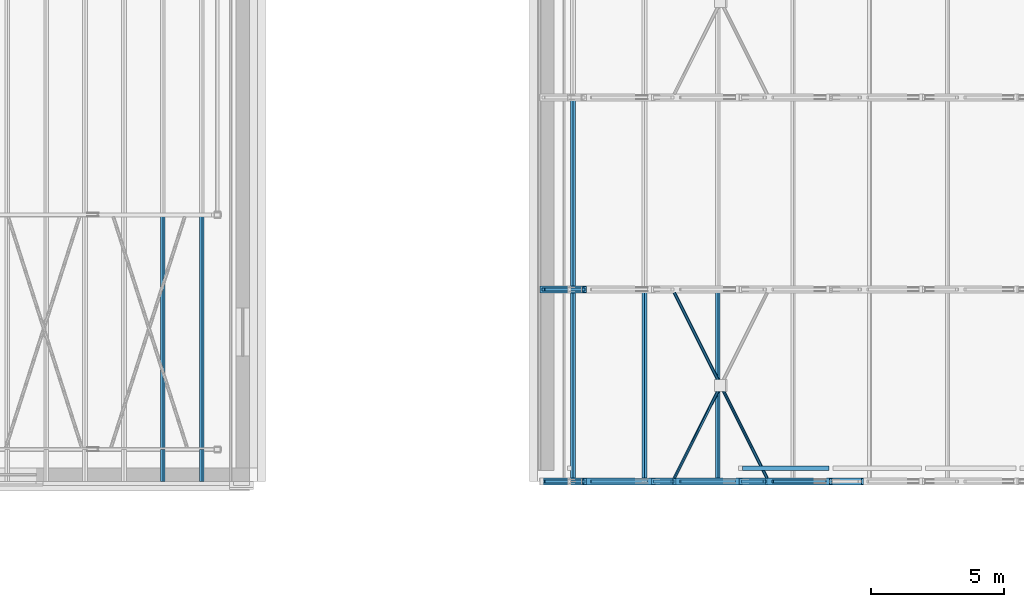
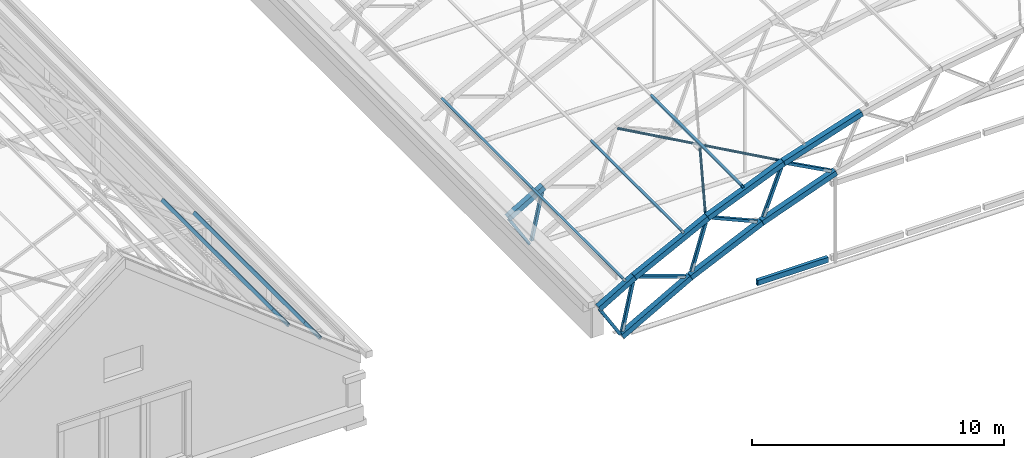
# One storey, part 37 of 127: 27 members, 1 beam.
"""IFC4 building model written with IfcOpenShell, lengths in metres."""

from ifc_helpers import new_model, si_unit, direction, frame, origin, origin_2d, place, context, subcontext, project, spatial, hollow_rectangle, hollow_circle, extrude, material, material_profile, profile_set, type_object, element, save


model = new_model("IFC4")

# Units and contexts
model_context = context("Model", 3, precision=1e-05, world=origin(), true_north=direction((0.0, 1.0)))
body_context = subcontext(model_context, "Body", "Model", "MODEL_VIEW")
ifc_project = project(units=[si_unit("LENGTHUNIT", "METRE"), si_unit("AREAUNIT", "SQUARE_METRE"), si_unit("VOLUMEUNIT", "CUBIC_METRE"), si_unit("PLANEANGLEUNIT", "RADIAN"), si_unit("MASSUNIT", "GRAM", prefix="KILO")], contexts=[model_context])

# Site, building, storey
site_placement = place(None, origin())
site = spatial("IfcSite", under=ifc_project, at=site_placement, CompositionType="ELEMENT")
building_placement = place(site_placement, origin())
building = spatial("IfcBuilding", under=site, at=building_placement, Name="Verrick Yard Athletic Hall", CompositionType="ELEMENT")
storey_placement = place(building_placement, frame((0.0, 0.0, 14.0)))
storey = spatial("IfcBuildingStorey", under=building, at=storey_placement, Name="L03", CompositionType="ELEMENT", Elevation=14.0)

# Members
ifc_material = material(Name="Structural steel HSS Class C 350W (CSA G40.20/G40.21)", Category="steel")
ifc_material_profile_1 = material_profile(ifc_material, hollow_rectangle(XDim=0.25390625, YDim=0.25390625, WallThickness=0.009521484375, at=origin_2d()), Name="HSS254x254x9.5")
ifc_profile_set_1 = profile_set([ifc_material_profile_1], Name="Structural steel HSS Class C 350W (CSA G40.20/G40.21)")
member_type_1 = type_object("IfcMemberType", Name="HB bottom chord HSS254x254x9.5", PredefinedType="CHORD", material=ifc_profile_set_1)
member_1_placement = place(storey_placement, frame((121.60009765625, 72.0, 0.0), z_axis=(0.872881488331, 0.0, 0.4879322774), x_axis=(0.0, 1.0, 0.0)))
element("IfcMember", 1, at=member_1_placement, inside=storey, type_object=member_type_1, Name="Truss TA1 bottom chord 1", PredefinedType="CHORD", context=body_context, shape_type="SweptSolid", body=[
    extrude(hollow_rectangle(XDim=0.25390625, YDim=0.25390625, WallThickness=0.009521484375, at=origin_2d()), origin(), (0.0, 0.0, 1.0), 3.60107421875),
])
member_2_placement = place(storey_placement, frame((124.752197265625, 72.0, 1.761474609375), z_axis=(0.908445597889, 0.0, 0.418003104865), x_axis=(0.0, 1.0, 0.0)))
element("IfcMember", 2, at=member_2_placement, inside=storey, type_object=member_type_1, Name="Truss TA1 bottom chord 2", PredefinedType="CHORD", context=body_context, shape_type="SweptSolid", body=[
    extrude(hollow_rectangle(XDim=0.25390625, YDim=0.25390625, WallThickness=0.009521484375, at=origin_2d()), origin(), (0.0, 0.0, 1.0), 3.59619140625),
])
member_3_placement = place(storey_placement, frame((128.0283203125, 72.0, 3.2685546875), z_axis=(0.938394107905, 0.0, 0.345566922966), x_axis=(0.0, 1.0, 0.0)))
element("IfcMember", 3, at=member_3_placement, inside=storey, type_object=member_type_1, Name="Truss TA1 bottom chord 3", PredefinedType="CHORD", context=body_context, shape_type="SweptSolid", body=[
    extrude(hollow_rectangle(XDim=0.25390625, YDim=0.25390625, WallThickness=0.009521484375, at=origin_2d()), origin(), (0.0, 0.0, 1.0), 3.595947265625),
])
ifc_material_profile_2 = material_profile(ifc_material, hollow_rectangle(XDim=0.1015625, YDim=0.203125, WallThickness=0.009521484375, at=origin_2d()), Name="HSS203x102x9.5")
ifc_profile_set_2 = profile_set([ifc_material_profile_2], Name="Structural steel HSS Class C 350W (CSA G40.20/G40.21)")
member_type_2 = type_object("IfcMemberType", Name="HB purlin HSS203x102x9.5", PredefinedType="PURLIN", material=ifc_profile_set_2)
for number, where, z_axis, x_axis, name in (
    (4, (121.73583984375, 72.0, 2.660888671875), (0.0, 1.0, 0.0), (-0.86316809178, 0.0, -0.504916671673), "HB-PU-A-1-1"),
    (5, (124.410888671875, 72.0, 4.046875), (0.0, 1.0, 0.0), (-0.891352741199, 0.0, -0.453310369126), "HB-PU-A-1-2"),
    (6, (127.162109375, 72.0, 5.2822265625), (0.0, 1.0, 0.0), (-0.924122791552, 0.0, -0.382095624331), "HB-PU-A-1-3"),
    (7, (121.73583984375, 79.199951171875, 2.660888671875), (0.0, 1.0, 0.0), (-0.86316809178, 0.0, -0.504916671673), "HB-PU-A-2-1"),
):
    element("IfcMember", number, at=place(storey_placement, frame(where, z_axis=z_axis, x_axis=x_axis)), inside=storey, type_object=member_type_2, Name=name, PredefinedType="PURLIN", context=body_context, shape_type="SweptSolid", body=[
        extrude(hollow_rectangle(XDim=0.1015625, YDim=0.203125, WallThickness=0.009521484375, at=origin_2d()), origin(), (0.0, 0.0, 1.0), 7.199951171875),
    ])
ifc_material_profile_3 = material_profile(ifc_material, hollow_circle(Radius=0.05712890625, WallThickness=0.00634765625, at=origin_2d()), Name="HSS114x6.4")
ifc_profile_set_3 = profile_set([ifc_material_profile_3], Name="Structural steel HSS Class C 350W (CSA G40.20/G40.21)")
member_type_3 = type_object("IfcMemberType", Name="HB roof brace HSS114x6.4", PredefinedType="BRACE", material=ifc_profile_set_3)
member_4_placement = place(storey_placement, frame((125.534912109375, 72.126953125, 4.362060546875), z_axis=(0.440150503414, 0.879284932949, 0.182004233557), x_axis=(-0.894220428922, 0.447626880894, 0.0)))
element("IfcMember", 8, at=member_4_placement, inside=storey, type_object=member_type_3, Name="HB-BR-A-1-1b1", PredefinedType="BRACE", context=body_context, shape_type="SweptSolid", body=[
    extrude(hollow_circle(Radius=0.05712890625, WallThickness=0.00634765625, at=origin_2d()), origin(), (0.0, 0.0, 1.0), 3.844482421875),
])
member_5_placement = place(storey_placement, frame((129.01220703125, 72.126953125, 5.7998046875), z_axis=(-0.440177215443, 0.87927276252, -0.181998428824), x_axis=(-0.894207074699, -0.447653557518, 0.0)))
element("IfcMember", 9, at=member_5_placement, inside=storey, type_object=member_type_3, Name="HB-BR-A-1-1a", PredefinedType="BRACE", context=body_context, shape_type="SweptSolid", body=[
    extrude(hollow_circle(Radius=0.05712890625, WallThickness=0.00634765625, at=origin_2d()), origin(), (0.0, 0.0, 1.0), 7.899658203125),
])
ifc_material_profile_4 = material_profile(ifc_material, hollow_rectangle(XDim=0.1015625, YDim=0.15234375, WallThickness=0.008056640625, at=origin_2d()), Name="HSS152x102x7.9")
ifc_profile_set_4 = profile_set([ifc_material_profile_4], Name="Structural steel HSS Class C 350W (CSA G40.20/G40.21)")
member_type_4 = type_object("IfcMemberType", Name="HB roof purlin HSS152x102x7.9", PredefinedType="PURLIN", material=ifc_profile_set_4)
member_6_placement = place(storey_placement, frame((107.814453125, 72.0, 4.702392578125), z_axis=(0.0, 1.0, 0.0), x_axis=(-0.789352213638, 0.0, 0.613940618322)))
element("IfcMember", 10, at=member_6_placement, inside=storey, type_object=member_type_4, Name="HB-PU-C-E1-1", PredefinedType="PURLIN", context=body_context, shape_type="SweptSolid", body=[
    extrude(hollow_rectangle(XDim=0.1015625, YDim=0.15234375, WallThickness=0.008056640625, at=origin_2d()), origin(), (0.0, 0.0, 1.0), 1.199951171875),
])
member_7_placement = place(storey_placement, frame((107.814453125, 73.199951171875, 4.702392578125), z_axis=(0.0, 1.0, 0.0), x_axis=(-0.789352213638, 0.0, 0.613940618322)))
element("IfcMember", 11, at=member_7_placement, inside=storey, type_object=member_type_4, Name="HB-PU-C-E1-2", PredefinedType="PURLIN", context=body_context, shape_type="SweptSolid", body=[
    extrude(hollow_rectangle(XDim=0.1015625, YDim=0.15234375, WallThickness=0.008056640625, at=origin_2d()), origin(), (0.0, 0.0, 1.0), 8.800048828125),
])
member_8_placement = place(storey_placement, frame((106.35400390625, 72.0, 5.838134765625), z_axis=(0.0, 1.0, 0.0), x_axis=(-0.789352213638, 0.0, 0.613940618322)))
element("IfcMember", 12, at=member_8_placement, inside=storey, type_object=member_type_4, Name="HB-PU-C-E2-1", PredefinedType="PURLIN", context=body_context, shape_type="SweptSolid", body=[
    extrude(hollow_rectangle(XDim=0.1015625, YDim=0.15234375, WallThickness=0.008056640625, at=origin_2d()), origin(), (0.0, 0.0, 1.0), 1.199951171875),
])
member_9_placement = place(storey_placement, frame((106.35400390625, 73.199951171875, 5.838134765625), z_axis=(0.0, 1.0, 0.0), x_axis=(-0.789352213638, 0.0, 0.613940618322)))
element("IfcMember", 13, at=member_9_placement, inside=storey, type_object=member_type_4, Name="HB-PU-C-E2-2", PredefinedType="PURLIN", context=body_context, shape_type="SweptSolid", body=[
    extrude(hollow_rectangle(XDim=0.1015625, YDim=0.15234375, WallThickness=0.008056640625, at=origin_2d()), origin(), (0.0, 0.0, 1.0), 8.800048828125),
])
ifc_material_profile_5 = material_profile(ifc_material, hollow_rectangle(XDim=0.25390625, YDim=0.25390625, WallThickness=0.009521484375, at=origin_2d()), Name="HSS254x254x9.5")
ifc_profile_set_5 = profile_set([ifc_material_profile_5], Name="Structural steel HSS Class C 350W (CSA G40.20/G40.21)")
member_type_5 = type_object("IfcMemberType", Name="HB top chord HSS254x254x9.5", PredefinedType="CHORD", material=ifc_profile_set_5)
member_10_placement = place(storey_placement, frame((120.556640625, 72.0, 1.706298828125), z_axis=(0.863141630219, 0.0, 0.504961905674), x_axis=(0.0, 1.0, 0.0)))
element("IfcMember", 14, at=member_10_placement, inside=storey, type_object=member_type_5, Name="Truss TA1 top chord 1", PredefinedType="CHORD", context=body_context, shape_type="SweptSolid", body=[
    extrude(hollow_rectangle(XDim=0.25390625, YDim=0.25390625, WallThickness=0.009521484375, at=origin_2d()), origin(), (0.0, 0.0, 1.0), 1.8779296875),
])
member_11_placement = place(storey_placement, frame((122.18408203125, 72.0, 2.657958984375), z_axis=(0.891336584454, 0.0, 0.453342137037), x_axis=(0.0, 1.0, 0.0)))
element("IfcMember", 15, at=member_11_placement, inside=storey, type_object=member_type_5, Name="Truss TA1 top chord 2", PredefinedType="CHORD", context=body_context, shape_type="SweptSolid", body=[
    extrude(hollow_rectangle(XDim=0.25390625, YDim=0.25390625, WallThickness=0.009521484375, at=origin_2d()), origin(), (0.0, 0.0, 1.0), 3.754150390625),
])
member_12_placement = place(storey_placement, frame((125.53955078125, 72.0, 4.364013671875), z_axis=(0.924130129149, 0.0, 0.382077877402), x_axis=(0.0, 1.0, 0.0)))
element("IfcMember", 16, at=member_12_placement, inside=storey, type_object=member_type_5, Name="Truss TA1 top chord 3", PredefinedType="CHORD", context=body_context, shape_type="SweptSolid", body=[
    extrude(hollow_rectangle(XDim=0.25390625, YDim=0.25390625, WallThickness=0.009521484375, at=origin_2d()), origin(), (0.0, 0.0, 1.0), 3.752685546875),
])
member_13_placement = place(storey_placement, frame((129.016845703125, 72.0, 5.80126953125), z_axis=(0.951208887206, 0.0, 0.308547650938), x_axis=(0.0, 1.0, 0.0)))
element("IfcMember", 17, at=member_13_placement, inside=storey, type_object=member_type_5, Name="Truss TA1 top chord 4", PredefinedType="CHORD", context=body_context, shape_type="SweptSolid", body=[
    extrude(hollow_rectangle(XDim=0.25390625, YDim=0.25390625, WallThickness=0.009521484375, at=origin_2d()), origin(), (0.0, 0.0, 1.0), 3.7529296875),
])
member_14_placement = place(storey_placement, frame((120.556640625, 79.199951171875, 1.706298828125), z_axis=(0.863141630219, 0.0, 0.504961905674), x_axis=(0.0, 1.0, 0.0)))
element("IfcMember", 18, at=member_14_placement, inside=storey, type_object=member_type_5, Name="Truss TA2 top chord 1", PredefinedType="CHORD", context=body_context, shape_type="SweptSolid", body=[
    extrude(hollow_rectangle(XDim=0.25390625, YDim=0.25390625, WallThickness=0.009521484375, at=origin_2d()), origin(), (0.0, 0.0, 1.0), 1.8779296875),
])
ifc_material_profile_6 = material_profile(ifc_material, hollow_rectangle(XDim=0.126953125, YDim=0.126953125, WallThickness=0.009521484375, at=origin_2d()), Name="HSS127x127x9.5")
ifc_profile_set_6 = profile_set([ifc_material_profile_6], Name="Structural steel HSS Class C 350W (CSA G40.20/G40.21)")
member_type_6 = type_object("IfcMemberType", Name="HB truss end post HSS127x127x9.5", PredefinedType="POST", material=ifc_profile_set_6)
for number, where, z_axis, x_axis, name in (
    (19, (121.532470703125, 72.0, 0.110595703125), (-0.521773101112, 0.0, 0.853084304718), (0.0, -1.0, 0.0), "Truss TA1 end post 1"),
    (20, (121.532470703125, 79.199951171875, 0.110595703125), (-0.521773101112, 0.0, 0.853084304718), (0.0, -1.0, 0.0), "Truss TA2 end post 1"),
):
    element("IfcMember", number, at=place(storey_placement, frame(where, z_axis=z_axis, x_axis=x_axis)), inside=storey, type_object=member_type_6, Name=name, PredefinedType="POST", context=body_context, shape_type="SweptSolid", body=[
        extrude(hollow_rectangle(XDim=0.126953125, YDim=0.126953125, WallThickness=0.009521484375, at=origin_2d()), origin(), (0.0, 0.0, 1.0), 1.741943359375),
    ])
ifc_material_profile_7 = material_profile(ifc_material, hollow_rectangle(XDim=0.126953125, YDim=0.126953125, WallThickness=0.009521484375, at=origin_2d()), Name="HSS127x127x9.5")
ifc_profile_set_7 = profile_set([ifc_material_profile_7], Name="Structural steel HSS Class C 350W (CSA G40.20/G40.21)")
member_type_7 = type_object("IfcMemberType", Name="HB truss web HSS127x127x9.5", PredefinedType="BRACE", material=ifc_profile_set_7)
member_15_placement = place(storey_placement, frame((121.648193359375, 72.0, 0.220703125), z_axis=(0.213603528569, 0.0, 0.976920433087), x_axis=(0.0, 1.0, 0.0)))
element("IfcMember", 21, at=member_15_placement, inside=storey, type_object=member_type_7, Name="Truss end diagonal TA1-1", PredefinedType="BRACE", context=body_context, shape_type="SweptSolid", body=[
    extrude(hollow_rectangle(XDim=0.126953125, YDim=0.126953125, WallThickness=0.009521484375, at=origin_2d()), origin(), (0.0, 0.0, 1.0), 2.261962890625),
])
for number, where, z_axis, x_axis, name in (
    (22, (122.404296875, 72.0, 2.578369140625), (0.944026930686, 0.0, -0.329868389118), (0.0, 1.0, 0.0), "Truss TA1 web 2"),
    (23, (124.81982421875, 72.0, 1.99755859375), (0.289443070658, 0.0, 0.957195230268), (0.0, 1.0, 0.0), "Truss TA1 web 3"),
    (24, (125.75146484375, 72.0, 4.2666015625), (0.915297302882, 0.0, -0.402778906272), (0.0, 1.0, 0.0), "Truss TA1 web 4"),
    (25, (128.114013671875, 72.0, 3.49853515625), (0.363537858519, 0.0, 0.931579425183), (0.0, 1.0, 0.0), "Truss TA1 web 5"),
    (26, (129.220703125, 72.0, 5.687744140625), (0.880926928438, 0.0, -0.473252307709), (0.0, 1.0, 0.0), "Truss TA1 web 6"),
):
    element("IfcMember", number, at=place(storey_placement, frame(where, z_axis=z_axis, x_axis=x_axis)), inside=storey, type_object=member_type_7, Name=name, PredefinedType="BRACE", context=body_context, shape_type="SweptSolid", body=[
        extrude(hollow_rectangle(XDim=0.126953125, YDim=0.126953125, WallThickness=0.009521484375, at=origin_2d()), origin(), (0.0, 0.0, 1.0), 2.233642578125),
    ])
member_16_placement = place(storey_placement, frame((121.648193359375, 79.199951171875, 0.220703125), z_axis=(0.213603528569, 0.0, 0.976920433087), x_axis=(0.0, 1.0, 0.0)))
element("IfcMember", 27, at=member_16_placement, inside=storey, type_object=member_type_7, Name="Truss end diagonal TA2-1", PredefinedType="BRACE", context=body_context, shape_type="SweptSolid", body=[
    extrude(hollow_rectangle(XDim=0.126953125, YDim=0.126953125, WallThickness=0.009521484375, at=origin_2d()), origin(), (0.0, 0.0, 1.0), 2.261962890625),
])

# Beam
ifc_material_profile_8 = material_profile(ifc_material, hollow_rectangle(XDim=0.15234375, YDim=0.25390625, WallThickness=0.009521484375, at=origin_2d()), Name="HSS254x152x9.5")
ifc_profile_set_8 = profile_set([ifc_material_profile_8], Name="Structural steel HSS Class C 350W (CSA G40.20/G40.21)")
beam_type = type_object("IfcBeamType", Name="HB wind girder HSS254x152x9.5", PredefinedType="BEAM", material=ifc_profile_set_8)
beam_placement = place(storey_placement, frame((128.099853515625, 72.49462890625, 0.0), z_axis=(1.0, 0.0, 0.0), x_axis=(0.0, 1.0, 0.0)))
element("IfcBeam", 28, at=beam_placement, inside=storey, type_object=beam_type, Name="HB-WG-AS-140-1", PredefinedType="BEAM", context=body_context, shape_type="SweptSolid", body=[
    extrude(hollow_rectangle(XDim=0.15234375, YDim=0.25390625, WallThickness=0.009521484375, at=origin_2d()), origin(), (0.0, 0.0, 1.0), 3.2314453125),
])

save(model, "model.ifc")
